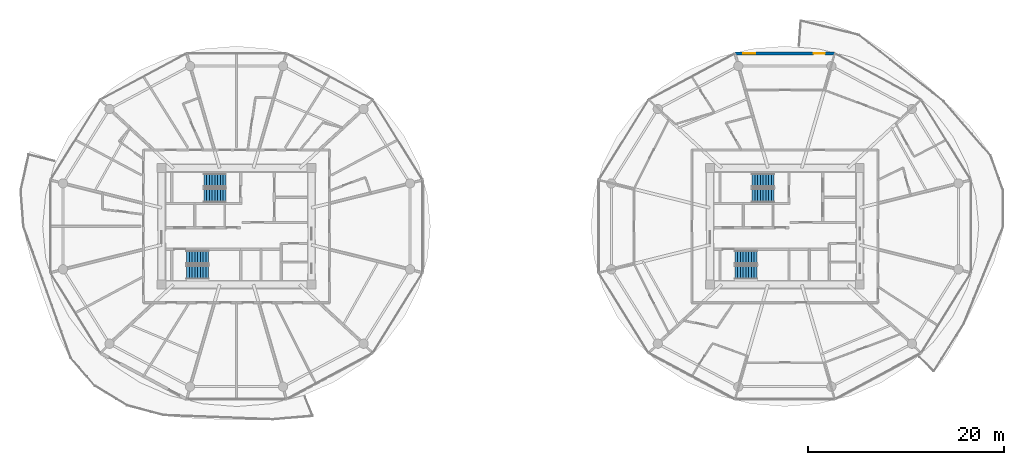
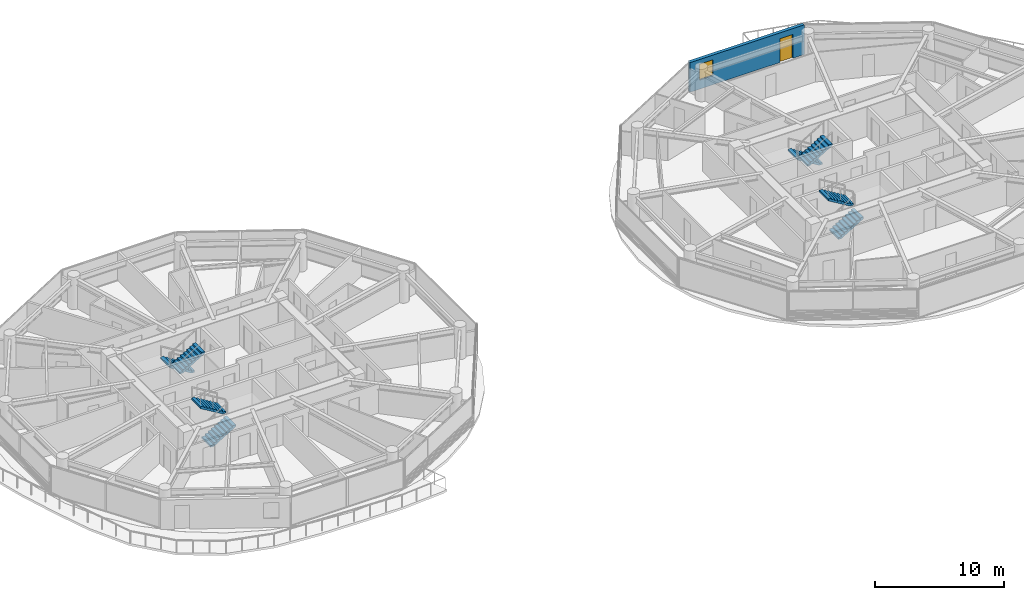
# One storey, part 22 of 28: 8 stair flights, 1 door, 1 wall, 1 window, 2 openings, 4 elements without a shape of their own.
"""IFC4 building model written with IfcOpenShell, lengths in metres."""

from ifc_helpers import new_model, si_unit, direction, frame, frame_2d, origin, place, context, subcontext, project, spatial, polyline, rectangle, outline, extrude, source, transform, mapped, material, layer, layer_set, type_object, type_shapes, element, fill, aggregate, save


model = new_model("IFC4")

# Units and contexts
model_context = context("Model", 3, precision=1e-05, world=origin(), true_north=direction((0.0, 1.0)))
body_context = subcontext(model_context, "Body", "Model", "MODEL_VIEW")
ifc_project = project(units=[si_unit("LENGTHUNIT", "METRE"), si_unit("AREAUNIT", "SQUARE_METRE"), si_unit("VOLUMEUNIT", "CUBIC_METRE"), si_unit("PLANEANGLEUNIT", "RADIAN"), si_unit("MASSUNIT", "GRAM", prefix="KILO")], contexts=[model_context])

# Site, building, storey
site_placement = place(None, origin())
site = spatial("IfcSite", under=ifc_project, at=site_placement, CompositionType="ELEMENT")
building_placement = place(site_placement, origin())
building = spatial("IfcBuilding", under=site, at=building_placement, Name="Norrkilde Senior Care Towers", CompositionType="ELEMENT")
storey_placement = place(building_placement, frame((0.0, 0.0, 39.89990234375)))
storey = spatial("IfcBuildingStorey", under=building, at=storey_placement, Name="L11", CompositionType="ELEMENT", Elevation=39.89990234375)

# Wall, openings, door, window
ifc_material_1 = material(Name="Precast concrete C45/55", Category="concrete")
ifc_layer = layer(ifc_material_1, 0.2900390625)
ifc_layer_set = layer_set([ifc_layer], Name="Precast concrete C45/55")
wall_type = type_object("IfcWallType", Name="Winter Garden Facade Wall 290", PredefinedType="SOLIDWALL", material=ifc_layer_set)
shared_shape_1 = source(origin(), body_context, "Body", "SweptSolid", [
    extrude(rectangle(XDim=10.18701171875, YDim=0.2900390625, at=frame_2d((5.093505859375, 0.0))), origin(), (0.0, 0.0, 1.0), 2.7900390625),
])
type_shapes(wall_type, [shared_shape_1])
wall_placement = place(storey_placement, frame((22.906494140625, 17.6572265625, 0.0), z_axis=(0.0, 0.0, 1.0), x_axis=(1.0, 0.0, 0.0)))
wall = element("IfcWall", 1, at=wall_placement, inside=storey, type_object=wall_type, Name="L11 Drum E Balcony Access Wall 02", PredefinedType="SOLIDWALL", context=body_context, shape_type="MappedRepresentation", body=[
    mapped(shared_shape_1, transform((0.0, 0.0, 0.0), x_axis=(1.0, 0.0, 0.0), y_axis=(0.0, 1.0, 0.0), z_axis=(0.0, 0.0, 1.0), scale=1.0)),
])
opening_1_placement = place(wall_placement, frame((8.02001953125, 0.0, 0.0)))
opening_1 = element("IfcOpeningElement", 2, at=opening_1_placement, cuts=wall, Name="Opening D-09", PredefinedType="OPENING", context=body_context, shape_type="SweptSolid", body=[
    extrude(rectangle(XDim=1.14990234375, YDim=2.25, at=frame_2d((0.574951171875, 1.125))), frame((0.0, 0.155029296875, 0.0), z_axis=(0.0, -1.0, 0.0), x_axis=(1.0, 0.0, 0.0)), (0.0, 0.0, 1.0), 0.31005859375),
])
opening_2_placement = place(wall_placement, frame((0.85009765625, 0.0, 0.85009765625)))
opening_2 = element("IfcOpeningElement", 3, at=opening_2_placement, cuts=wall, Name="Opening WN-07", PredefinedType="OPENING", context=body_context, shape_type="SweptSolid", body=[
    extrude(rectangle(XDim=1.199951171875, YDim=1.5, at=frame_2d((0.60009765625, 0.75))), frame((0.0, 0.155029296875, 0.0), z_axis=(0.0, -1.0, 0.0), x_axis=(1.0, 0.0, 0.0)), (0.0, 0.0, 1.0), 0.31005859375),
])
ifc_material_2 = material(Name="Anodised Aluminium", Category="aluminium")
door_type = type_object("IfcDoorType", Name="Terrace and Balcony Glazed Door 1150x2250", OperationType="NOTDEFINED", PredefinedType="DOOR", material=ifc_material_2)
shared_shape_2 = source(origin(), body_context, "Body", "SweptSolid", [
    extrude(rectangle(XDim=1.14990234375, YDim=2.25, at=frame_2d((0.574951171875, 1.125))), frame((0.0, 0.02490234375, 0.0), z_axis=(0.0, -1.0, 0.0), x_axis=(1.0, 0.0, 0.0)), (0.0, 0.0, 1.0), 0.050048828125),
])
type_shapes(door_type, [shared_shape_2])
door_placement = place(opening_1_placement, origin())
door = element("IfcDoor", 4, at=door_placement, inside=storey, type_object=door_type, Name="L11 Drum E Outdoor Terrace Door 02", OperationType="SINGLE_SWING_LEFT", OverallHeight=2.25, OverallWidth=1.14990234375, PredefinedType="DOOR", context=body_context, shape_type="MappedRepresentation", body=[
    mapped(shared_shape_2, transform((0.0, 0.0, 0.0), x_axis=(1.0, 0.0, 0.0), y_axis=(0.0, 1.0, 0.0), z_axis=(0.0, 0.0, 1.0), scale=1.0)),
])
fill(opening_1, door)
ifc_material_3 = material(Name="Triple Low-E Insulated Glazing", Category="glass")
window_type = type_object("IfcWindowType", Name="Stairwell Smoke Vent Window 1200x1500", PartitioningType="SINGLE_PANEL", PredefinedType="WINDOW", material=ifc_material_3)
shared_shape_3 = source(origin(), body_context, "Body", "SweptSolid", [
    extrude(rectangle(XDim=1.199951171875, YDim=1.5, at=frame_2d((0.60009765625, 0.75))), frame((0.0, 0.030029296875, 0.0), z_axis=(0.0, -1.0, 0.0), x_axis=(1.0, 0.0, 0.0)), (0.0, 0.0, 1.0), 0.06005859375),
])
type_shapes(window_type, [shared_shape_3])
window_placement = place(opening_2_placement, origin())
window = element("IfcWindow", 5, at=window_placement, inside=storey, type_object=window_type, Name="L11 Drum E Winter Garden Window 02", OverallHeight=1.5, OverallWidth=1.199951171875, PartitioningType="SINGLE_PANEL", PredefinedType="WINDOW", context=body_context, shape_type="MappedRepresentation", body=[
    mapped(shared_shape_3, transform((0.0, 0.0, 0.0), x_axis=(1.0, 0.0, 0.0), y_axis=(0.0, 1.0, 0.0), z_axis=(0.0, 0.0, 1.0), scale=1.0)),
])
fill(opening_2, window)

# Stair, stair flights
ifc_material_4 = material(Name="Concrete C45/55", Category="concrete")
stair_type = type_object("IfcStairType", Name="Core Protected Dogleg Stair Typical 3050", PredefinedType="HALF_TURN_STAIR", material=ifc_material_4)
stair_1_placement = place(storey_placement, origin())
stair_1 = element("IfcStair", 6, at=stair_1_placement, inside=storey, type_object=stair_type, Name="L11 Protected Core Stair W1", PredefinedType="HALF_TURN_STAIR")
stair_flight_type = type_object("IfcStairFlightType", Name="Core Protected Dogleg Stair Typical 3050 Flight", PredefinedType="STRAIGHT", material=ifc_material_4)
stair_flight_1_placement = place(storey_placement, frame((-29.10009765625, 4.699951171875, 0.0), z_axis=(0.0, 0.0, 1.0), x_axis=(-1.0, 0.0, 0.0)))
stair_flight_1 = element("IfcStairFlight", 7, at=stair_flight_1_placement, type_object=stair_flight_type, Name="ST-W1 flight 1", NumberOfRisers=9, NumberOfTreads=8, PredefinedType="STRAIGHT", RiserHeight=0.169444444, TreadLength=0.28, context=body_context, shape_type="SweptSolid", body=[
    extrude(outline(polyline([(0.0, 0.0), (0.0, 0.16943359375), (0.280029296875, 0.16943359375), (0.280029296875, 0.3388671875), (0.56005859375, 0.3388671875), (0.56005859375, 0.50830078125), (0.840087890625, 0.50830078125), (0.840087890625, 0.677734375), (1.1201171875, 0.677734375), (1.1201171875, 0.84716796875), (1.39990234375, 0.84716796875), (1.39990234375, 1.0166015625), (1.679931640625, 1.0166015625), (1.679931640625, 1.18603515625), (1.9599609375, 1.18603515625), (1.9599609375, 1.35546875), (2.239990234375, 1.35546875), (2.239990234375, 1.52490234375), (2.239990234375, 1.180419921875), (0.28955078125, 0.0), (0.0, 0.0)])), frame((0.0, 0.699951171875, 0.0), z_axis=(0.0, -1.0, 0.0), x_axis=(1.0, 0.0, 0.0)), (0.0, 0.0, 1.0), 1.39990234375),
])
stair_flight_2_placement = place(storey_placement, frame((-31.340087890625, 3.14990234375, 1.525146484375), z_axis=(0.0, 0.0, 1.0), x_axis=(1.0, 0.0, 0.0)))
stair_flight_2 = element("IfcStairFlight", 8, at=stair_flight_2_placement, type_object=stair_flight_type, Name="ST-W1 flight 2", NumberOfRisers=9, NumberOfTreads=8, PredefinedType="STRAIGHT", RiserHeight=0.169444444, TreadLength=0.28, context=body_context, shape_type="SweptSolid", body=[
    extrude(outline(polyline([(0.0, 0.0), (0.0, 0.16943359375), (0.280029296875, 0.16943359375), (0.280029296875, 0.3388671875), (0.56005859375, 0.3388671875), (0.56005859375, 0.50830078125), (0.840087890625, 0.50830078125), (0.840087890625, 0.677734375), (1.1201171875, 0.677734375), (1.1201171875, 0.84716796875), (1.39990234375, 0.84716796875), (1.39990234375, 1.0166015625), (1.679931640625, 1.0166015625), (1.679931640625, 1.18603515625), (1.9599609375, 1.18603515625), (1.9599609375, 1.35546875), (2.239990234375, 1.35546875), (2.239990234375, 1.52490234375), (2.239990234375, 1.180419921875), (0.28955078125, 0.0), (0.0, 0.0)])), frame((0.0, 0.699951171875, 0.0), z_axis=(0.0, -1.0, 0.0), x_axis=(1.0, 0.0, 0.0)), (0.0, 0.0, 1.0), 1.39990234375),
])
aggregate(stair_1, [stair_flight_1, stair_flight_2])

stair_2_placement = place(storey_placement, origin())
stair_2 = element("IfcStair", 9, at=stair_2_placement, inside=storey, type_object=stair_type, Name="L11 Protected Core Stair W2", PredefinedType="HALF_TURN_STAIR")
stair_flight_3_placement = place(storey_placement, frame((-33.10009765625, -4.699951171875, 0.0), z_axis=(0.0, 0.0, 1.0), x_axis=(1.0, 0.0, 0.0)))
stair_flight_3 = element("IfcStairFlight", 10, at=stair_flight_3_placement, type_object=stair_flight_type, Name="ST-W2 flight 1", NumberOfRisers=9, NumberOfTreads=8, PredefinedType="STRAIGHT", RiserHeight=0.169444444, TreadLength=0.28, context=body_context, shape_type="SweptSolid", body=[
    extrude(outline(polyline([(0.0, 0.0), (0.0, 0.16943359375), (0.280029296875, 0.16943359375), (0.280029296875, 0.3388671875), (0.56005859375, 0.3388671875), (0.56005859375, 0.50830078125), (0.840087890625, 0.50830078125), (0.840087890625, 0.677734375), (1.1201171875, 0.677734375), (1.1201171875, 0.84716796875), (1.39990234375, 0.84716796875), (1.39990234375, 1.0166015625), (1.679931640625, 1.0166015625), (1.679931640625, 1.18603515625), (1.9599609375, 1.18603515625), (1.9599609375, 1.35546875), (2.239990234375, 1.35546875), (2.239990234375, 1.52490234375), (2.239990234375, 1.180419921875), (0.28955078125, 0.0), (0.0, 0.0)])), frame((0.0, 0.699951171875, 0.0), z_axis=(0.0, -1.0, 0.0), x_axis=(1.0, 0.0, 0.0)), (0.0, 0.0, 1.0), 1.39990234375),
])
stair_flight_4_placement = place(storey_placement, frame((-30.860107421875, -3.14990234375, 1.525146484375), z_axis=(0.0, 0.0, 1.0), x_axis=(-1.0, 0.0, 0.0)))
stair_flight_4 = element("IfcStairFlight", 11, at=stair_flight_4_placement, type_object=stair_flight_type, Name="ST-W2 flight 2", NumberOfRisers=9, NumberOfTreads=8, PredefinedType="STRAIGHT", RiserHeight=0.169444444, TreadLength=0.28, context=body_context, shape_type="SweptSolid", body=[
    extrude(outline(polyline([(0.0, 0.0), (0.0, 0.16943359375), (0.280029296875, 0.16943359375), (0.280029296875, 0.3388671875), (0.56005859375, 0.3388671875), (0.56005859375, 0.50830078125), (0.840087890625, 0.50830078125), (0.840087890625, 0.677734375), (1.1201171875, 0.677734375), (1.1201171875, 0.84716796875), (1.39990234375, 0.84716796875), (1.39990234375, 1.0166015625), (1.679931640625, 1.0166015625), (1.679931640625, 1.18603515625), (1.9599609375, 1.18603515625), (1.9599609375, 1.35546875), (2.239990234375, 1.35546875), (2.239990234375, 1.52490234375), (2.239990234375, 1.180419921875), (0.28955078125, 0.0), (0.0, 0.0)])), frame((0.0, 0.699951171875, 0.0), z_axis=(0.0, -1.0, 0.0), x_axis=(1.0, 0.0, 0.0)), (0.0, 0.0, 1.0), 1.39990234375),
])
aggregate(stair_2, [stair_flight_3, stair_flight_4])

stair_3_placement = place(storey_placement, origin())
stair_3 = element("IfcStair", 12, at=stair_3_placement, inside=storey, type_object=stair_type, Name="L11 Protected Core Stair E1", PredefinedType="HALF_TURN_STAIR")
stair_flight_5_placement = place(storey_placement, frame((26.89990234375, 4.699951171875, 0.0), z_axis=(0.0, 0.0, 1.0), x_axis=(-1.0, 0.0, 0.0)))
stair_flight_5 = element("IfcStairFlight", 13, at=stair_flight_5_placement, type_object=stair_flight_type, Name="ST-E1 flight 1", NumberOfRisers=9, NumberOfTreads=8, PredefinedType="STRAIGHT", RiserHeight=0.169444444, TreadLength=0.28, context=body_context, shape_type="SweptSolid", body=[
    extrude(outline(polyline([(0.0, 0.0), (0.0, 0.16943359375), (0.280029296875, 0.16943359375), (0.280029296875, 0.3388671875), (0.56005859375, 0.3388671875), (0.56005859375, 0.50830078125), (0.840087890625, 0.50830078125), (0.840087890625, 0.677734375), (1.1201171875, 0.677734375), (1.1201171875, 0.84716796875), (1.39990234375, 0.84716796875), (1.39990234375, 1.0166015625), (1.679931640625, 1.0166015625), (1.679931640625, 1.18603515625), (1.9599609375, 1.18603515625), (1.9599609375, 1.35546875), (2.239990234375, 1.35546875), (2.239990234375, 1.52490234375), (2.239990234375, 1.180419921875), (0.28955078125, 0.0), (0.0, 0.0)])), frame((0.0, 0.699951171875, 0.0), z_axis=(0.0, -1.0, 0.0), x_axis=(1.0, 0.0, 0.0)), (0.0, 0.0, 1.0), 1.39990234375),
])
stair_flight_6_placement = place(storey_placement, frame((24.659912109375, 3.14990234375, 1.525146484375), z_axis=(0.0, 0.0, 1.0), x_axis=(1.0, 0.0, 0.0)))
stair_flight_6 = element("IfcStairFlight", 14, at=stair_flight_6_placement, type_object=stair_flight_type, Name="ST-E1 flight 2", NumberOfRisers=9, NumberOfTreads=8, PredefinedType="STRAIGHT", RiserHeight=0.169444444, TreadLength=0.28, context=body_context, shape_type="SweptSolid", body=[
    extrude(outline(polyline([(0.0, 0.0), (0.0, 0.16943359375), (0.280029296875, 0.16943359375), (0.280029296875, 0.3388671875), (0.56005859375, 0.3388671875), (0.56005859375, 0.50830078125), (0.840087890625, 0.50830078125), (0.840087890625, 0.677734375), (1.1201171875, 0.677734375), (1.1201171875, 0.84716796875), (1.39990234375, 0.84716796875), (1.39990234375, 1.0166015625), (1.679931640625, 1.0166015625), (1.679931640625, 1.18603515625), (1.9599609375, 1.18603515625), (1.9599609375, 1.35546875), (2.239990234375, 1.35546875), (2.239990234375, 1.52490234375), (2.239990234375, 1.180419921875), (0.28955078125, 0.0), (0.0, 0.0)])), frame((0.0, 0.699951171875, 0.0), z_axis=(0.0, -1.0, 0.0), x_axis=(1.0, 0.0, 0.0)), (0.0, 0.0, 1.0), 1.39990234375),
])
aggregate(stair_3, [stair_flight_5, stair_flight_6])

stair_4_placement = place(storey_placement, origin())
stair_4 = element("IfcStair", 15, at=stair_4_placement, inside=storey, type_object=stair_type, Name="L11 Protected Core Stair E2", PredefinedType="HALF_TURN_STAIR")
stair_flight_7_placement = place(storey_placement, frame((22.89990234375, -4.699951171875, 0.0), z_axis=(0.0, 0.0, 1.0), x_axis=(1.0, 0.0, 0.0)))
stair_flight_7 = element("IfcStairFlight", 16, at=stair_flight_7_placement, type_object=stair_flight_type, Name="ST-E2 flight 1", NumberOfRisers=9, NumberOfTreads=8, PredefinedType="STRAIGHT", RiserHeight=0.169444444, TreadLength=0.28, context=body_context, shape_type="SweptSolid", body=[
    extrude(outline(polyline([(0.0, 0.0), (0.0, 0.16943359375), (0.280029296875, 0.16943359375), (0.280029296875, 0.3388671875), (0.56005859375, 0.3388671875), (0.56005859375, 0.50830078125), (0.840087890625, 0.50830078125), (0.840087890625, 0.677734375), (1.1201171875, 0.677734375), (1.1201171875, 0.84716796875), (1.39990234375, 0.84716796875), (1.39990234375, 1.0166015625), (1.679931640625, 1.0166015625), (1.679931640625, 1.18603515625), (1.9599609375, 1.18603515625), (1.9599609375, 1.35546875), (2.239990234375, 1.35546875), (2.239990234375, 1.52490234375), (2.239990234375, 1.180419921875), (0.28955078125, 0.0), (0.0, 0.0)])), frame((0.0, 0.699951171875, 0.0), z_axis=(0.0, -1.0, 0.0), x_axis=(1.0, 0.0, 0.0)), (0.0, 0.0, 1.0), 1.39990234375),
])
stair_flight_8_placement = place(storey_placement, frame((25.139892578125, -3.14990234375, 1.525146484375), z_axis=(0.0, 0.0, 1.0), x_axis=(-1.0, 0.0, 0.0)))
stair_flight_8 = element("IfcStairFlight", 17, at=stair_flight_8_placement, type_object=stair_flight_type, Name="ST-E2 flight 2", NumberOfRisers=9, NumberOfTreads=8, PredefinedType="STRAIGHT", RiserHeight=0.169444444, TreadLength=0.28, context=body_context, shape_type="SweptSolid", body=[
    extrude(outline(polyline([(0.0, 0.0), (0.0, 0.16943359375), (0.280029296875, 0.16943359375), (0.280029296875, 0.3388671875), (0.56005859375, 0.3388671875), (0.56005859375, 0.50830078125), (0.840087890625, 0.50830078125), (0.840087890625, 0.677734375), (1.1201171875, 0.677734375), (1.1201171875, 0.84716796875), (1.39990234375, 0.84716796875), (1.39990234375, 1.0166015625), (1.679931640625, 1.0166015625), (1.679931640625, 1.18603515625), (1.9599609375, 1.18603515625), (1.9599609375, 1.35546875), (2.239990234375, 1.35546875), (2.239990234375, 1.52490234375), (2.239990234375, 1.180419921875), (0.28955078125, 0.0), (0.0, 0.0)])), frame((0.0, 0.699951171875, 0.0), z_axis=(0.0, -1.0, 0.0), x_axis=(1.0, 0.0, 0.0)), (0.0, 0.0, 1.0), 1.39990234375),
])
aggregate(stair_4, [stair_flight_7, stair_flight_8])

save(model, "model.ifc")
